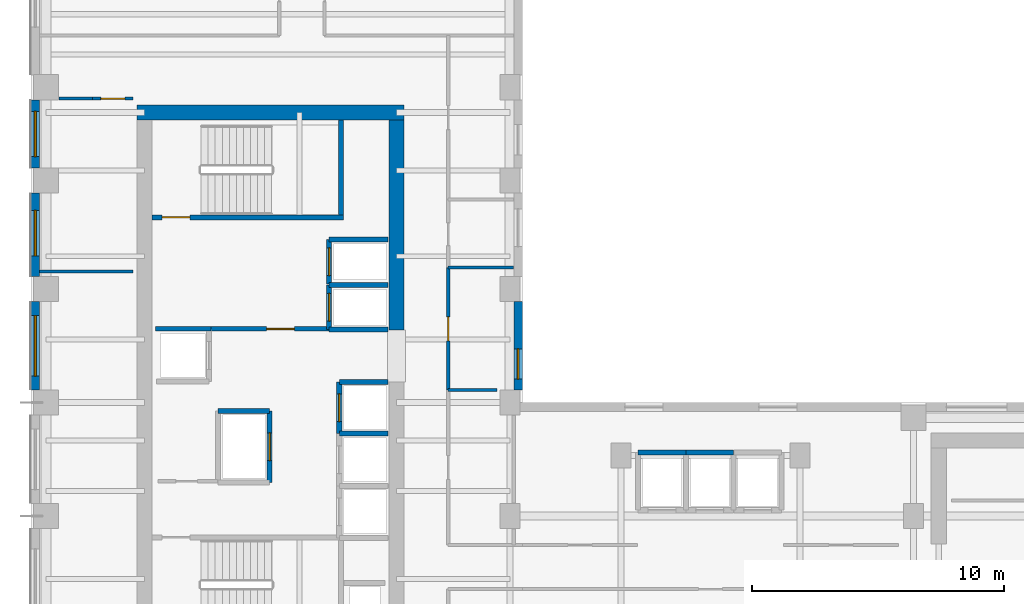
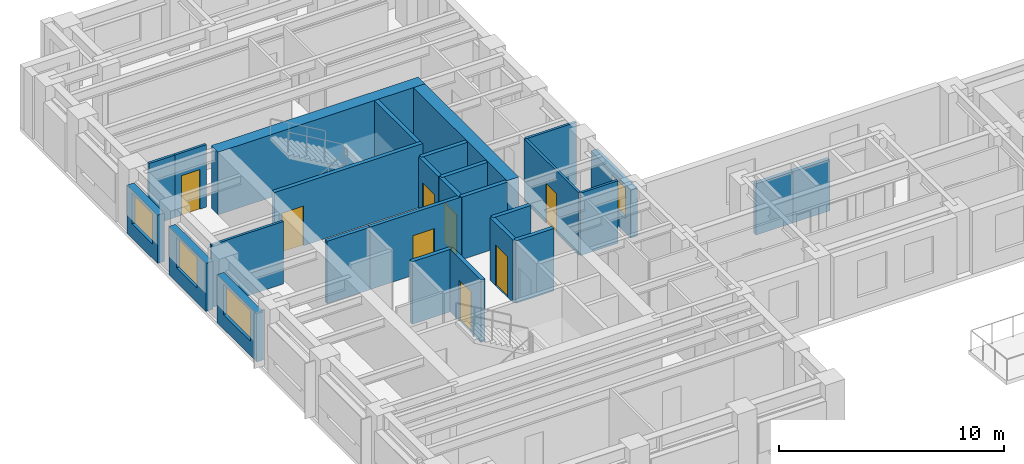
# One storey, part 5 of 12: 28 walls, 8 doors, 4 windows, 12 openings.
"""IFC4 building model written with IfcOpenShell, lengths in metres."""

from ifc_helpers import new_model, si_unit, direction, frame, frame_2d, origin, place, context, subcontext, project, spatial, rectangle, extrude, source, transform, mapped, material, layer, layer_set, type_object, element, fill, save


model = new_model("IFC4")

# Units and contexts
model_context = context("Model", 3, precision=1e-05, world=origin(), true_north=direction((0.0, 1.0)))
body_context = subcontext(model_context, "Body", "Model", "MODEL_VIEW")
ifc_project = project(units=[si_unit("LENGTHUNIT", "METRE"), si_unit("AREAUNIT", "SQUARE_METRE"), si_unit("VOLUMEUNIT", "CUBIC_METRE"), si_unit("PLANEANGLEUNIT", "RADIAN"), si_unit("MASSUNIT", "GRAM", prefix="KILO")], contexts=[model_context])

# Site, building, storey
site_placement = place(None, origin())
site = spatial("IfcSite", under=ifc_project, at=site_placement, CompositionType="ELEMENT")
building_placement = place(site_placement, origin())
building = spatial("IfcBuilding", under=site, at=building_placement, Name="Kharzan Plaza Tower", CompositionType="ELEMENT")
storey_placement = place(building_placement, frame((0.0, 0.0, 179.10009765625)))
storey = spatial("IfcBuildingStorey", under=building, at=storey_placement, Name="L48", CompositionType="ELEMENT", Elevation=179.10009765625)

# Wall, opening, window
ifc_material_1 = material(Name="Concrete C40/50", Category="concrete")
ifc_layer_1 = layer(ifc_material_1, 0.35009765625)
ifc_layer_set_1 = layer_set([ifc_layer_1], Name="Concrete C40/50")
wall_type_1 = type_object("IfcWallType", Name="WL-EXT-MAS-Z3", PredefinedType="SOLIDWALL", material=ifc_layer_set_1)
wall_1_placement = place(storey_placement, frame((0.175048828125, 30.001953125, 0.0), z_axis=(0.0, 0.0, 1.0), x_axis=(0.0, -1.0, 0.0)))
wall_1 = element("IfcWall", 1, at=wall_1_placement, inside=storey, type_object=wall_type_1, Name="L48 Masonry-Frame Exterior Wall 12", PredefinedType="SOLIDWALL", context=body_context, shape_type="SweptSolid", body=[
    extrude(rectangle(XDim=2.703857421875, YDim=0.35009765625, at=frame_2d((1.35205078125, 0.0))), origin(), (0.0, 0.0, 1.0), 2.61181640625),
])
opening_1_placement = place(wall_1_placement, frame((0.451904296875, 0.0, 0.780029296875)))
opening_1 = element("IfcOpeningElement", 2, at=opening_1_placement, cuts=wall_1, Name="Opening W1", PredefinedType="OPENING", context=body_context, shape_type="SweptSolid", body=[
    extrude(rectangle(XDim=1.800048828125, YDim=1.652099609375, at=frame_2d((0.89990234375, 0.826171875))), frame((0.0, 0.18505859375, 0.0), z_axis=(0.0, -1.0, 0.0), x_axis=(1.0, 0.0, 0.0)), (0.0, 0.0, 1.0), 0.3701171875),
])
ifc_material_2 = material(Name="Low-E Double Glazing", Category="glass")
window_type_1 = type_object("IfcWindowType", Name="WN-REC-1800x2100", PartitioningType="SINGLE_PANEL", PredefinedType="WINDOW", material=ifc_material_2)
shared_shape_1 = source(origin(), body_context, "Body", "SweptSolid", [
    extrude(rectangle(XDim=1.800048828125, YDim=1.652099609375, at=frame_2d((0.89990234375, 0.826171875))), frame((0.0, 0.030029296875, 0.0), z_axis=(0.0, -1.0, 0.0), x_axis=(1.0, 0.0, 0.0)), (0.0, 0.0, 1.0), 0.06005859375),
])
window_1_placement = place(opening_1_placement, origin())
window_1 = element("IfcWindow", 3, at=window_1_placement, inside=storey, type_object=window_type_1, Name="L48 Recessed Solar-Control Window 12-1", OverallHeight=1.652099609375, OverallWidth=1.800048828125, PartitioningType="SINGLE_PANEL", PredefinedType="WINDOW", context=body_context, shape_type="MappedRepresentation", body=[
    mapped(shared_shape_1, transform((0.0, 0.0, 0.0), x_axis=(1.0, 0.0, 0.0), y_axis=(0.0, 1.0, 0.0), z_axis=(0.0, 0.0, 1.0))),
])
fill(opening_1, window_1)

wall_2_placement = place(storey_placement, frame((0.175048828125, 26.302001953125, 0.0), z_axis=(0.0, 0.0, 1.0), x_axis=(0.0, -1.0, 0.0)))
wall_2 = element("IfcWall", 4, at=wall_2_placement, inside=storey, type_object=wall_type_1, Name="L48 Masonry-Frame Exterior Wall 13", PredefinedType="SOLIDWALL", context=body_context, shape_type="SweptSolid", body=[
    extrude(rectangle(XDim=3.303955078125, YDim=0.35009765625, at=frame_2d((1.65185546875, 0.0))), origin(), (0.0, 0.0, 1.0), 2.61181640625),
])
opening_2_placement = place(wall_2_placement, frame((0.68603515625, 0.0, 0.780029296875)))
opening_2 = element("IfcOpeningElement", 5, at=opening_2_placement, cuts=wall_2, Name="Opening W1", PredefinedType="OPENING", context=body_context, shape_type="SweptSolid", body=[
    extrude(rectangle(XDim=1.800048828125, YDim=1.652099609375, at=frame_2d((0.89990234375, 0.826171875))), frame((0.0, 0.18505859375, 0.0), z_axis=(0.0, -1.0, 0.0), x_axis=(1.0, 0.0, 0.0)), (0.0, 0.0, 1.0), 0.3701171875),
])
window_2_placement = place(opening_2_placement, origin())
window_2 = element("IfcWindow", 6, at=window_2_placement, inside=storey, type_object=window_type_1, Name="L48 Recessed Solar-Control Window 13-1", OverallHeight=1.652099609375, OverallWidth=1.800048828125, PartitioningType="SINGLE_PANEL", PredefinedType="WINDOW", context=body_context, shape_type="MappedRepresentation", body=[
    mapped(shared_shape_1, transform((0.0, 0.0, 0.0), x_axis=(1.0, 0.0, 0.0), y_axis=(0.0, 1.0, 0.0), z_axis=(0.0, 0.0, 1.0))),
])
fill(opening_2, window_2)

wall_3_placement = place(storey_placement, frame((0.175048828125, 22.001953125, 0.0), z_axis=(0.0, 0.0, 1.0), x_axis=(0.0, -1.0, 0.0)))
wall_3 = element("IfcWall", 7, at=wall_3_placement, inside=storey, type_object=wall_type_1, Name="L48 Masonry-Frame Exterior Wall 14", PredefinedType="SOLIDWALL", context=body_context, shape_type="SweptSolid", body=[
    extrude(rectangle(XDim=3.50390625, YDim=0.35009765625, at=frame_2d((1.751953125, 0.0))), origin(), (0.0, 0.0, 1.0), 2.61181640625),
])
opening_3_placement = place(wall_3_placement, frame((0.552001953125, 0.0, 0.780029296875)))
opening_3 = element("IfcOpeningElement", 8, at=opening_3_placement, cuts=wall_3, Name="Opening W2", PredefinedType="OPENING", context=body_context, shape_type="SweptSolid", body=[
    extrude(rectangle(XDim=2.39990234375, YDim=1.652099609375, at=frame_2d((1.199951171875, 0.826171875))), frame((0.0, 0.18505859375, 0.0), z_axis=(0.0, -1.0, 0.0), x_axis=(1.0, 0.0, 0.0)), (0.0, 0.0, 1.0), 0.3701171875),
])
window_type_2 = type_object("IfcWindowType", Name="WN-REC-2400x2100", PartitioningType="SINGLE_PANEL", PredefinedType="WINDOW", material=ifc_material_2)
shared_shape_2 = source(origin(), body_context, "Body", "SweptSolid", [
    extrude(rectangle(XDim=2.39990234375, YDim=1.652099609375, at=frame_2d((1.199951171875, 0.826171875))), frame((0.0, 0.030029296875, 0.0), z_axis=(0.0, -1.0, 0.0), x_axis=(1.0, 0.0, 0.0)), (0.0, 0.0, 1.0), 0.06005859375),
])
window_3_placement = place(opening_3_placement, origin())
window_3 = element("IfcWindow", 9, at=window_3_placement, inside=storey, type_object=window_type_2, Name="L48 Wide Recessed Solar-Control Window 14-1", OverallHeight=1.652099609375, OverallWidth=2.39990234375, PartitioningType="SINGLE_PANEL", PredefinedType="WINDOW", context=body_context, shape_type="MappedRepresentation", body=[
    mapped(shared_shape_2, transform((0.0, 0.0, 0.0), x_axis=(1.0, 0.0, 0.0), y_axis=(0.0, 1.0, 0.0), z_axis=(0.0, 0.0, 1.0))),
])
fill(opening_3, window_3)

wall_4_placement = place(storey_placement, frame((19.324951171875, 18.498046875, 0.0), z_axis=(0.0, 0.0, 1.0), x_axis=(0.0, 1.0, 0.0)))
wall_4 = element("IfcWall", 10, at=wall_4_placement, inside=storey, type_object=wall_type_1, Name="L48 Masonry-Frame Exterior Wall 47", PredefinedType="SOLIDWALL", context=body_context, shape_type="SweptSolid", body=[
    extrude(rectangle(XDim=3.50390625, YDim=0.35009765625, at=frame_2d((1.751953125, 0.0))), origin(), (0.0, 0.0, 1.0), 2.61181640625),
])
opening_4_placement = place(wall_4_placement, frame((0.4326171875, 0.0, 0.780029296875)))
opening_4 = element("IfcOpeningElement", 11, at=opening_4_placement, cuts=wall_4, Name="Opening W3", PredefinedType="OPENING", context=body_context, shape_type="SweptSolid", body=[
    extrude(rectangle(XDim=1.199951171875, YDim=1.652099609375, at=frame_2d((0.60009765625, 0.826171875))), frame((0.0, 0.18505859375, 0.0), z_axis=(0.0, -1.0, 0.0), x_axis=(1.0, 0.0, 0.0)), (0.0, 0.0, 1.0), 0.3701171875),
])
window_type_3 = type_object("IfcWindowType", Name="WN-REC-1200x2100", PartitioningType="SINGLE_PANEL", PredefinedType="WINDOW", material=ifc_material_2)
shared_shape_3 = source(origin(), body_context, "Body", "SweptSolid", [
    extrude(rectangle(XDim=1.199951171875, YDim=1.652099609375, at=frame_2d((0.60009765625, 0.826171875))), frame((0.0, 0.030029296875, 0.0), z_axis=(0.0, -1.0, 0.0), x_axis=(1.0, 0.0, 0.0)), (0.0, 0.0, 1.0), 0.06005859375),
])
window_4_placement = place(opening_4_placement, origin())
window_4 = element("IfcWindow", 12, at=window_4_placement, inside=storey, type_object=window_type_3, Name="L48 Recessed Solar-Control Window 47-1", OverallHeight=1.652099609375, OverallWidth=1.199951171875, PartitioningType="SINGLE_PANEL", PredefinedType="WINDOW", context=body_context, shape_type="MappedRepresentation", body=[
    mapped(shared_shape_3, transform((0.0, 0.0, 0.0), x_axis=(1.0, 0.0, 0.0), y_axis=(0.0, 1.0, 0.0), z_axis=(0.0, 0.0, 1.0))),
])
fill(opening_4, window_4)

# Wall, opening, door
ifc_layer_2 = layer(ifc_material_1, 0.179931640625)
ifc_layer_set_2 = layer_set([ifc_layer_2], Name="Concrete C40/50")
wall_type_2 = type_object("IfcWallType", Name="WL-INT-FIRE-180", PredefinedType="PARTITIONING", material=ifc_layer_set_2)
wall_5_placement = place(storey_placement, frame((7.14990234375, 20.919921875, 0.0), z_axis=(0.0, 0.0, 1.0), x_axis=(1.0, 0.0, 0.0)))
wall_5 = element("IfcWall", 13, at=wall_5_placement, inside=storey, type_object=wall_type_2, Name="L48 Interior Partition CA-FF-S", PredefinedType="PARTITIONING", context=body_context, shape_type="SweptSolid", body=[
    extrude(rectangle(XDim=4.68017578125, YDim=0.179931640625, at=frame_2d((2.340087890625, 0.0))), origin(), (0.0, 0.0, 1.0), 3.385009765625),
])
opening_5_placement = place(wall_5_placement, frame((2.199951171875, 0.0, 0.0)))
opening_5 = element("IfcOpeningElement", 14, at=opening_5_placement, cuts=wall_5, Name="Opening FD1", PredefinedType="OPENING", context=body_context, shape_type="SweptSolid", body=[
    extrude(rectangle(XDim=1.10009765625, YDim=2.14990234375, at=frame_2d((0.550048828125, 1.074951171875))), frame((0.0, 0.099853515625, 0.0), z_axis=(0.0, -1.0, 0.0), x_axis=(1.0, 0.0, 0.0)), (0.0, 0.0, 1.0), 0.199951171875),
])
ifc_material_3 = material(Name="Fire-Rated Acoustic Vision-Panel Steel", Category="steel")
door_type_1 = type_object("IfcDoorType", Name="DR-FIRE-LOBBY", OperationType="NOTDEFINED", PredefinedType="DOOR", material=ifc_material_3)
shared_shape_4 = source(origin(), body_context, "Body", "SweptSolid", [
    extrude(rectangle(XDim=1.10009765625, YDim=2.14990234375, at=frame_2d((0.550048828125, 1.074951171875))), frame((0.0, 0.02490234375, 0.0), z_axis=(0.0, -1.0, 0.0), x_axis=(1.0, 0.0, 0.0)), (0.0, 0.0, 1.0), 0.050048828125),
])
door_1_placement = place(opening_5_placement, origin())
door_1 = element("IfcDoor", 15, at=door_1_placement, inside=storey, type_object=door_type_1, Name="L48 Firefighting Lobby Door", OperationType="SINGLE_SWING_RIGHT", OverallHeight=2.14990234375, OverallWidth=1.10009765625, PredefinedType="DOOR", context=body_context, shape_type="MappedRepresentation", body=[
    mapped(shared_shape_4, transform((0.0, 0.0, 0.0), x_axis=(1.0, 0.0, 0.0), y_axis=(0.0, 1.0, 0.0), z_axis=(0.0, 0.0, 1.0))),
])
fill(opening_5, door_1)

ifc_material_4 = material(Name="Fire-Rated Gypsum Board Partition", Category="gypsum")
ifc_layer_3 = layer(ifc_material_4, 0.125)
ifc_layer_set_3 = layer_set([ifc_layer_3], Name="Fire-Rated Gypsum Board Partition")
wall_type_3 = type_object("IfcWallType", Name="WL-INT-PART-125", PredefinedType="PARTITIONING", material=ifc_layer_set_3)
wall_6_placement = place(storey_placement, frame((16.550048828125, 18.5, 0.0), z_axis=(0.0, 0.0, 1.0), x_axis=(0.0, 1.0, 0.0)))
wall_6 = element("IfcWall", 16, at=wall_6_placement, inside=storey, type_object=wall_type_3, Name="L48 Interior Partition SH-AEWN2", PredefinedType="PARTITIONING", context=body_context, shape_type="SweptSolid", body=[
    extrude(rectangle(XDim=4.85009765625, YDim=0.125, at=frame_2d((2.425048828125, 0.0))), origin(), (0.0, 0.0, 1.0), 3.385009765625),
])
opening_6_placement = place(wall_6_placement, frame((1.949951171875, 0.0, 0.0)))
opening_6 = element("IfcOpeningElement", 17, at=opening_6_placement, cuts=wall_6, Name="Opening OD1", PredefinedType="OPENING", context=body_context, shape_type="SweptSolid", body=[
    extrude(rectangle(XDim=0.949951171875, YDim=2.14990234375, at=frame_2d((0.47509765625, 1.074951171875))), frame((0.0, 0.072509765625, 0.0), z_axis=(0.0, -1.0, 0.0), x_axis=(1.0, 0.0, 0.0)), (0.0, 0.0, 1.0), 0.14501953125),
])
ifc_material_5 = material(Name="Acoustic Solid-Core Stained Oak", Category="timber")
door_type_2 = type_object("IfcDoorType", Name="DR-OFF-SINGLE", OperationType="NOTDEFINED", PredefinedType="DOOR", material=ifc_material_5)
shared_shape_5 = source(origin(), body_context, "Body", "SweptSolid", [
    extrude(rectangle(XDim=0.949951171875, YDim=2.14990234375, at=frame_2d((0.47509765625, 1.074951171875))), frame((0.0, 0.02490234375, 0.0), z_axis=(0.0, -1.0, 0.0), x_axis=(1.0, 0.0, 0.0)), (0.0, 0.0, 1.0), 0.050048828125),
])
door_2_placement = place(opening_6_placement, origin())
door_2 = element("IfcDoor", 18, at=door_2_placement, inside=storey, type_object=door_type_2, Name="L48 Slot Studio Door", OperationType="SINGLE_SWING_LEFT", OverallHeight=2.14990234375, OverallWidth=0.949951171875, PredefinedType="DOOR", context=body_context, shape_type="MappedRepresentation", body=[
    mapped(shared_shape_5, transform((0.0, 0.0, 0.0), x_axis=(1.0, 0.0, 0.0), y_axis=(0.0, 1.0, 0.0), z_axis=(0.0, 0.0, 1.0))),
])
fill(opening_6, door_2)

wall_7_placement = place(storey_placement, frame((2.449951171875, 30.050048828125, 0.0), z_axis=(0.0, 0.0, 1.0), x_axis=(1.0, 0.0, 0.0)))
wall_7 = element("IfcWall", 19, at=wall_7_placement, inside=storey, type_object=wall_type_3, Name="L48 Interior Partition SH-RWND", PredefinedType="PARTITIONING", context=body_context, shape_type="SweptSolid", body=[
    extrude(rectangle(XDim=1.60009765625, YDim=0.125, at=frame_2d((0.800048828125, 0.0))), origin(), (0.0, 0.0, 1.0), 3.385009765625),
])
opening_7_placement = place(wall_7_placement, frame((0.324951171875, 0.0, 0.0)))
opening_7 = element("IfcOpeningElement", 20, at=opening_7_placement, cuts=wall_7, Name="Opening OD1", PredefinedType="OPENING", context=body_context, shape_type="SweptSolid", body=[
    extrude(rectangle(XDim=0.949951171875, YDim=2.14990234375, at=frame_2d((0.47509765625, 1.074951171875))), frame((0.0, 0.072509765625, 0.0), z_axis=(0.0, -1.0, 0.0), x_axis=(1.0, 0.0, 0.0)), (0.0, 0.0, 1.0), 0.14501953125),
])
door_3_placement = place(opening_7_placement, origin())
door_3 = element("IfcDoor", 21, at=door_3_placement, inside=storey, type_object=door_type_2, Name="L48 West Office 2 Door", OperationType="SINGLE_SWING_LEFT", OverallHeight=2.14990234375, OverallWidth=0.949951171875, PredefinedType="DOOR", context=body_context, shape_type="MappedRepresentation", body=[
    mapped(shared_shape_5, transform((0.0, 0.0, 0.0), x_axis=(1.0, 0.0, 0.0), y_axis=(0.0, 1.0, 0.0), z_axis=(0.0, 0.0, 1.0))),
])
fill(opening_7, door_3)

ifc_layer_4 = layer(ifc_material_1, 0.199951171875)
ifc_layer_set_4 = layer_set([ifc_layer_4], Name="Concrete C40/50")
wall_type_4 = type_object("IfcWallType", Name="WL-INT-SHAFT-200", PredefinedType="PARTITIONING", material=ifc_layer_set_4)
wall_8_placement = place(storey_placement, frame((11.830078125, 20.89990234375, 0.0), z_axis=(0.0, 0.0, 1.0), x_axis=(0.0, 1.0, 0.0)))
wall_8 = element("IfcWall", 22, at=wall_8_placement, inside=storey, type_object=wall_type_4, Name="L48 Interior Partition SHF-FFL-1-W", PredefinedType="PARTITIONING", context=body_context, shape_type="SweptSolid", body=[
    extrude(rectangle(XDim=1.760009765625, YDim=0.199951171875, at=frame_2d((0.8798828125, 0.0))), origin(), (0.0, 0.0, 1.0), 3.385009765625),
])
opening_8_placement = place(wall_8_placement, frame((0.330078125, 0.0, 0.0)))
opening_8 = element("IfcOpeningElement", 23, at=opening_8_placement, cuts=wall_8, Name="Opening LD", PredefinedType="OPENING", context=body_context, shape_type="SweptSolid", body=[
    extrude(rectangle(XDim=1.10009765625, YDim=2.199951171875, at=frame_2d((0.550048828125, 1.10009765625))), frame((0.0, 0.10986328125, 0.0), z_axis=(0.0, -1.0, 0.0), x_axis=(1.0, 0.0, 0.0)), (0.0, 0.0, 1.0), 0.219970703125),
])
ifc_material_6 = material(Name="Brushed Stainless Steel", Category="steel")
door_type_3 = type_object("IfcDoorType", Name="DR-LIFT-SLIDE", OperationType="SLIDING_TO_LEFT", PredefinedType="DOOR", material=ifc_material_6)
shared_shape_6 = source(origin(), body_context, "Body", "SweptSolid", [
    extrude(rectangle(XDim=1.10009765625, YDim=2.199951171875, at=frame_2d((0.550048828125, 1.10009765625))), frame((0.0, 0.02490234375, 0.0), z_axis=(0.0, -1.0, 0.0), x_axis=(1.0, 0.0, 0.0)), (0.0, 0.0, 1.0), 0.050048828125),
])
door_4_placement = place(opening_8_placement, origin())
door_4 = element("IfcDoor", 24, at=door_4_placement, inside=storey, type_object=door_type_3, Name="L48 Firefighting Lift FFL-1 Sliding Landing Door", OperationType="SLIDING_TO_LEFT", OverallHeight=2.199951171875, OverallWidth=1.10009765625, PredefinedType="DOOR", context=body_context, shape_type="MappedRepresentation", body=[
    mapped(shared_shape_6, transform((0.0, 0.0, 0.0), x_axis=(1.0, 0.0, 0.0), y_axis=(0.0, 1.0, 0.0), z_axis=(0.0, 0.0, 1.0))),
])
fill(opening_8, door_4)

wall_9_placement = place(storey_placement, frame((11.830078125, 22.699951171875, 0.0), z_axis=(0.0, 0.0, 1.0), x_axis=(0.0, 1.0, 0.0)))
wall_9 = element("IfcWall", 25, at=wall_9_placement, inside=storey, type_object=wall_type_4, Name="L48 Interior Partition SHF-FFL-2-W", PredefinedType="PARTITIONING", context=body_context, shape_type="SweptSolid", body=[
    extrude(rectangle(XDim=1.760009765625, YDim=0.199951171875, at=frame_2d((0.8798828125, 0.0))), origin(), (0.0, 0.0, 1.0), 3.385009765625),
])
opening_9_placement = place(wall_9_placement, frame((0.330078125, 0.0, 0.0)))
opening_9 = element("IfcOpeningElement", 26, at=opening_9_placement, cuts=wall_9, Name="Opening LD", PredefinedType="OPENING", context=body_context, shape_type="SweptSolid", body=[
    extrude(rectangle(XDim=1.10009765625, YDim=2.199951171875, at=frame_2d((0.550048828125, 1.10009765625))), frame((0.0, 0.10986328125, 0.0), z_axis=(0.0, -1.0, 0.0), x_axis=(1.0, 0.0, 0.0)), (0.0, 0.0, 1.0), 0.219970703125),
])
door_5_placement = place(opening_9_placement, origin())
door_5 = element("IfcDoor", 27, at=door_5_placement, inside=storey, type_object=door_type_3, Name="L48 Firefighting Lift FFL-2 Sliding Landing Door", OperationType="SLIDING_TO_LEFT", OverallHeight=2.199951171875, OverallWidth=1.10009765625, PredefinedType="DOOR", context=body_context, shape_type="MappedRepresentation", body=[
    mapped(shared_shape_6, transform((0.0, 0.0, 0.0), x_axis=(1.0, 0.0, 0.0), y_axis=(0.0, 1.0, 0.0), z_axis=(0.0, 0.0, 1.0))),
])
fill(opening_9, door_5)

wall_10_placement = place(storey_placement, frame((12.22998046875, 16.77001953125, 0.0), z_axis=(0.0, 0.0, 1.0), x_axis=(0.0, 1.0, 0.0)))
wall_10 = element("IfcWall", 28, at=wall_10_placement, inside=storey, type_object=wall_type_4, Name="L48 Interior Partition SHF-PL-H3-W", PredefinedType="PARTITIONING", context=body_context, shape_type="SweptSolid", body=[
    extrude(rectangle(XDim=2.050048828125, YDim=0.199951171875, at=frame_2d((1.02490234375, 0.0))), origin(), (0.0, 0.0, 1.0), 3.385009765625),
])
opening_10_placement = place(wall_10_placement, frame((0.47509765625, 0.0, 0.0)))
opening_10 = element("IfcOpeningElement", 29, at=opening_10_placement, cuts=wall_10, Name="Opening LD", PredefinedType="OPENING", context=body_context, shape_type="SweptSolid", body=[
    extrude(rectangle(XDim=1.10009765625, YDim=2.199951171875, at=frame_2d((0.550048828125, 1.10009765625))), frame((0.0, 0.10986328125, 0.0), z_axis=(0.0, -1.0, 0.0), x_axis=(1.0, 0.0, 0.0)), (0.0, 0.0, 1.0), 0.219970703125),
])
door_6_placement = place(opening_10_placement, origin())
door_6 = element("IfcDoor", 30, at=door_6_placement, inside=storey, type_object=door_type_3, Name="L48 High-Rise Passenger Lift PL-H3 Sliding Landing Door", OperationType="SLIDING_TO_LEFT", OverallHeight=2.199951171875, OverallWidth=1.10009765625, PredefinedType="DOOR", context=body_context, shape_type="MappedRepresentation", body=[
    mapped(shared_shape_6, transform((0.0, 0.0, 0.0), x_axis=(1.0, 0.0, 0.0), y_axis=(0.0, 1.0, 0.0), z_axis=(0.0, 0.0, 1.0))),
])
fill(opening_10, door_6)

wall_11_placement = place(storey_placement, frame((9.469970703125, 14.830078125, 0.0), z_axis=(0.0, 0.0, 1.0), x_axis=(0.0, 1.0, 0.0)))
wall_11 = element("IfcWall", 31, at=wall_11_placement, inside=storey, type_object=wall_type_4, Name="L48 Interior Partition SHF-SVL-1-E", PredefinedType="PARTITIONING", context=body_context, shape_type="SweptSolid", body=[
    extrude(rectangle(XDim=2.83984375, YDim=0.199951171875, at=frame_2d((1.419921875, 0.0))), origin(), (0.0, 0.0, 1.0), 3.385009765625),
])
opening_11_placement = place(wall_11_placement, frame((0.8701171875, 0.0, 0.0)))
opening_11 = element("IfcOpeningElement", 32, at=opening_11_placement, cuts=wall_11, Name="Opening LD", PredefinedType="OPENING", context=body_context, shape_type="SweptSolid", body=[
    extrude(rectangle(XDim=1.10009765625, YDim=2.199951171875, at=frame_2d((0.550048828125, 1.10009765625))), frame((0.0, 0.10986328125, 0.0), z_axis=(0.0, -1.0, 0.0), x_axis=(1.0, 0.0, 0.0)), (0.0, 0.0, 1.0), 0.219970703125),
])
door_7_placement = place(opening_11_placement, origin())
door_7 = element("IfcDoor", 33, at=door_7_placement, inside=storey, type_object=door_type_3, Name="L48 Service Lift SVL-1 Sliding Landing Door", OperationType="SLIDING_TO_LEFT", OverallHeight=2.199951171875, OverallWidth=1.10009765625, PredefinedType="DOOR", context=body_context, shape_type="MappedRepresentation", body=[
    mapped(shared_shape_6, transform((0.0, 0.0, 0.0), x_axis=(1.0, 0.0, 0.0), y_axis=(0.0, 1.0, 0.0), z_axis=(0.0, 0.0, 1.0))),
])
fill(opening_11, door_7)

ifc_material_7 = material(Name="Concrete C50/60", Category="concrete")
ifc_layer_5 = layer(ifc_material_7, 0.199951171875)
ifc_layer_set_5 = layer_set([ifc_layer_5], Name="Concrete C50/60")
wall_type_5 = type_object("IfcWallType", Name="WL-SHAFT-RC200", PredefinedType="SHEAR", material=ifc_layer_set_5)
wall_12_placement = place(storey_placement, frame((4.802001953125, 25.344970703125, 0.0), z_axis=(0.0, 0.0, 1.0), x_axis=(1.0, 0.0, 0.0)))
wall_12 = element("IfcWall", 34, at=wall_12_placement, inside=storey, type_object=wall_type_5, Name="L48 Stair ST-2 South RC Shaft Wall", PredefinedType="SHEAR", context=body_context, shape_type="SweptSolid", body=[
    extrude(rectangle(XDim=7.60302734375, YDim=0.199951171875, at=frame_2d((3.801513671875, 0.0))), origin(), (0.0, 0.0, 1.0), 3.39990234375),
])
opening_12_placement = place(wall_12_placement, frame((0.39990234375, 0.0, 0.0)))
opening_12 = element("IfcOpeningElement", 35, at=opening_12_placement, cuts=wall_12, Name="Opening SD1", PredefinedType="OPENING", context=body_context, shape_type="SweptSolid", body=[
    extrude(rectangle(XDim=1.10009765625, YDim=2.14990234375, at=frame_2d((0.550048828125, 1.074951171875))), frame((0.0, 0.10986328125, 0.0), z_axis=(0.0, -1.0, 0.0), x_axis=(1.0, 0.0, 0.0)), (0.0, 0.0, 1.0), 0.219970703125),
])
ifc_material_8 = material(Name="Fire-Rated Hollow Galvanized Steel", Category="steel")
door_type_4 = type_object("IfcDoorType", Name="DR-STAIR-FD120", OperationType="NOTDEFINED", PredefinedType="DOOR", material=ifc_material_8)
shared_shape_7 = source(origin(), body_context, "Body", "SweptSolid", [
    extrude(rectangle(XDim=1.10009765625, YDim=2.14990234375, at=frame_2d((0.550048828125, 1.074951171875))), frame((0.0, 0.02490234375, 0.0), z_axis=(0.0, -1.0, 0.0), x_axis=(1.0, 0.0, 0.0)), (0.0, 0.0, 1.0), 0.050048828125),
])
door_8_placement = place(opening_12_placement, origin())
door_8 = element("IfcDoor", 36, at=door_8_placement, inside=storey, type_object=door_type_4, Name="L48 Stair ST-2 Fire Exit Door", OperationType="SINGLE_SWING_LEFT", OverallHeight=2.14990234375, OverallWidth=1.10009765625, PredefinedType="DOOR", context=body_context, shape_type="MappedRepresentation", body=[
    mapped(shared_shape_7, transform((0.0, 0.0, 0.0), x_axis=(1.0, 0.0, 0.0), y_axis=(0.0, 1.0, 0.0), z_axis=(0.0, 0.0, 1.0))),
])
fill(opening_12, door_8)

# Walls
ifc_layer_6 = layer(ifc_material_7, 0.60009765625)
ifc_layer_set_6 = layer_set([ifc_layer_6], Name="Concrete C50/60")
wall_type_6 = type_object("IfcWallType", Name="WL-CORE-600", PredefinedType="SHEAR", material=ifc_layer_set_6)
shared_shape_8 = source(origin(), body_context, "Body", "SweptSolid", [
    extrude(rectangle(XDim=8.320068359375, YDim=0.60009765625, at=frame_2d((4.16015625, 0.0))), origin(), (0.0, 0.0, 1.0), 3.39990234375),
])
wall_13_placement = place(storey_placement, frame((14.5, 20.8798828125, 0.0), z_axis=(0.0, 0.0, 1.0), x_axis=(0.0, 1.0, 0.0)))
element("IfcWall", 37, at=wall_13_placement, inside=storey, type_object=wall_type_6, Name="L48 CORE-A east shear pier 2", PredefinedType="SHEAR", context=body_context, shape_type="MappedRepresentation", body=[
    mapped(shared_shape_8, transform((0.0, 0.0, 0.0), x_axis=(1.0, 0.0, 0.0), y_axis=(0.0, 1.0, 0.0), z_axis=(0.0, 0.0, 1.0))),
])
shared_shape_9 = source(origin(), body_context, "Body", "SweptSolid", [
    extrude(rectangle(XDim=10.60009765625, YDim=0.60009765625, at=frame_2d((5.300048828125, 0.0))), origin(), (0.0, 0.0, 1.0), 3.39990234375),
])
wall_14_placement = place(storey_placement, frame((4.199951171875, 29.5, 0.0), z_axis=(0.0, 0.0, 1.0), x_axis=(1.0, 0.0, 0.0)))
element("IfcWall", 38, at=wall_14_placement, inside=storey, type_object=wall_type_6, Name="L48 CORE-A north RC shear wall", PredefinedType="SHEAR", context=body_context, shape_type="MappedRepresentation", body=[
    mapped(shared_shape_9, transform((0.0, 0.0, 0.0), x_axis=(1.0, 0.0, 0.0), y_axis=(0.0, 1.0, 0.0), z_axis=(0.0, 0.0, 1.0))),
])
shared_shape_10 = source(origin(), body_context, "Body", "SweptSolid", [
    extrude(rectangle(XDim=2.199951171875, YDim=0.179931640625, at=frame_2d((1.10009765625, 0.0))), origin(), (0.0, 0.0, 1.0), 3.385009765625),
])
wall_15_placement = place(storey_placement, frame((4.949951171875, 20.919921875, 0.0), z_axis=(0.0, 0.0, 1.0), x_axis=(1.0, 0.0, 0.0)))
element("IfcWall", 39, at=wall_15_placement, inside=storey, type_object=wall_type_2, Name="L48 Interior Partition CA-FF-SW", PredefinedType="PARTITIONING", context=body_context, shape_type="MappedRepresentation", body=[
    mapped(shared_shape_10, transform((0.0, 0.0, 0.0), x_axis=(1.0, 0.0, 0.0), y_axis=(0.0, 1.0, 0.0), z_axis=(0.0, 0.0, 1.0))),
])
shared_shape_11 = source(origin(), body_context, "Body", "SweptSolid", [
    extrude(rectangle(XDim=1.929931640625, YDim=0.125, at=frame_2d((0.96484375, 0.0))), origin(), (0.0, 0.0, 1.0), 3.385009765625),
])
wall_16_placement = place(storey_placement, frame((16.550048828125, 18.5, 0.0), z_axis=(0.0, 0.0, 1.0), x_axis=(1.0, 0.0, 0.0)))
element("IfcWall", 40, at=wall_16_placement, inside=storey, type_object=wall_type_3, Name="L48 Interior Partition SH-AEH-185", PredefinedType="PARTITIONING", context=body_context, shape_type="MappedRepresentation", body=[
    mapped(shared_shape_11, transform((0.0, 0.0, 0.0), x_axis=(1.0, 0.0, 0.0), y_axis=(0.0, 1.0, 0.0), z_axis=(0.0, 0.0, 1.0))),
])
shared_shape_12 = source(origin(), body_context, "Body", "SweptSolid", [
    extrude(rectangle(XDim=2.33984375, YDim=0.199951171875, at=frame_2d((1.169921875, 0.0))), origin(), (0.0, 0.0, 1.0), 3.385009765625),
])
for number, where, z_axis, x_axis, name in (
    (41, (11.830078125, 22.659912109375, 0.0), (0.0, 0.0, 1.0), (1.0, 0.0, 0.0), "L48 Interior Partition SHF-FFL-1-N"),
    (42, (11.830078125, 20.89990234375, 0.0), (0.0, 0.0, 1.0), (1.0, 0.0, 0.0), "L48 Interior Partition SHF-FFL-1-S"),
    (43, (11.830078125, 24.4599609375, 0.0), (0.0, 0.0, 1.0), (1.0, 0.0, 0.0), "L48 Interior Partition SHF-FFL-2-N"),
):
    element("IfcWall", number, at=place(storey_placement, frame(where, z_axis=z_axis, x_axis=x_axis)), inside=storey, type_object=wall_type_4, Name=name, PredefinedType="PARTITIONING", context=body_context, shape_type="MappedRepresentation", body=[
        mapped(shared_shape_12, transform((0.0, 0.0, 0.0), x_axis=(1.0, 0.0, 0.0), y_axis=(0.0, 1.0, 0.0), z_axis=(0.0, 0.0, 1.0))),
    ])
shared_shape_13 = source(origin(), body_context, "Body", "SweptSolid", [
    extrude(rectangle(XDim=1.93994140625, YDim=0.199951171875, at=frame_2d((0.969970703125, 0.0))), origin(), (0.0, 0.0, 1.0), 3.385009765625),
])
for number, where, z_axis, x_axis, name in (
    (44, (12.22998046875, 16.77001953125, 0.0), (0.0, 0.0, 1.0), (1.0, 0.0, 0.0), "L48 Interior Partition SHF-PL-H2-N"),
    (45, (12.22998046875, 18.820068359375, 0.0), (0.0, 0.0, 1.0), (1.0, 0.0, 0.0), "L48 Interior Partition SHF-PL-H3-N"),
):
    element("IfcWall", number, at=place(storey_placement, frame(where, z_axis=z_axis, x_axis=x_axis)), inside=storey, type_object=wall_type_4, Name=name, PredefinedType="PARTITIONING", context=body_context, shape_type="MappedRepresentation", body=[
        mapped(shared_shape_13, transform((0.0, 0.0, 0.0), x_axis=(1.0, 0.0, 0.0), y_axis=(0.0, 1.0, 0.0), z_axis=(0.0, 0.0, 1.0))),
    ])
shared_shape_14 = source(origin(), body_context, "Body", "SweptSolid", [
    extrude(rectangle(XDim=1.889892578125, YDim=0.199951171875, at=frame_2d((0.94482421875, 0.0))), origin(), (0.0, 0.0, 1.0), 2.77294921875),
])
wall_17_placement = place(storey_placement, frame((24.080078125, 16.02001953125, 0.0), z_axis=(0.0, 0.0, 1.0), x_axis=(1.0, 0.0, 0.0)))
element("IfcWall", 46, at=wall_17_placement, inside=storey, type_object=wall_type_4, Name="L48 Interior Partition SHF-PL-M1-N", PredefinedType="PARTITIONING", context=body_context, shape_type="MappedRepresentation", body=[
    mapped(shared_shape_14, transform((0.0, 0.0, 0.0), x_axis=(1.0, 0.0, 0.0), y_axis=(0.0, 1.0, 0.0), z_axis=(0.0, 0.0, 1.0))),
])
shared_shape_15 = source(origin(), body_context, "Body", "SweptSolid", [
    extrude(rectangle(XDim=1.89013671875, YDim=0.199951171875, at=frame_2d((0.945068359375, 0.0))), origin(), (0.0, 0.0, 1.0), 2.77294921875),
])
wall_18_placement = place(storey_placement, frame((25.97998046875, 16.02001953125, 0.0), z_axis=(0.0, 0.0, 1.0), x_axis=(1.0, 0.0, 0.0)))
element("IfcWall", 47, at=wall_18_placement, inside=storey, type_object=wall_type_4, Name="L48 Interior Partition SHF-PL-M2-N", PredefinedType="PARTITIONING", context=body_context, shape_type="MappedRepresentation", body=[
    mapped(shared_shape_15, transform((0.0, 0.0, 0.0), x_axis=(1.0, 0.0, 0.0), y_axis=(0.0, 1.0, 0.0), z_axis=(0.0, 0.0, 1.0))),
])
shared_shape_16 = source(origin(), body_context, "Body", "SweptSolid", [
    extrude(rectangle(XDim=2.0400390625, YDim=0.199951171875, at=frame_2d((1.02001953125, 0.0))), origin(), (0.0, 0.0, 1.0), 3.385009765625),
])
wall_19_placement = place(storey_placement, frame((7.429931640625, 17.669921875, 0.0), z_axis=(0.0, 0.0, 1.0), x_axis=(1.0, 0.0, 0.0)))
element("IfcWall", 48, at=wall_19_placement, inside=storey, type_object=wall_type_4, Name="L48 Interior Partition SHF-SVL-1-N", PredefinedType="PARTITIONING", context=body_context, shape_type="MappedRepresentation", body=[
    mapped(shared_shape_16, transform((0.0, 0.0, 0.0), x_axis=(1.0, 0.0, 0.0), y_axis=(0.0, 1.0, 0.0), z_axis=(0.0, 0.0, 1.0))),
])
shared_shape_17 = source(origin(), body_context, "Body", "SweptSolid", [
    extrude(rectangle(XDim=3.7529296875, YDim=0.199951171875, at=frame_2d((1.87646484375, 0.0))), origin(), (0.0, 0.0, 1.0), 3.39990234375),
])
wall_20_placement = place(storey_placement, frame((12.304931640625, 25.445068359375, 0.0), z_axis=(0.0, 0.0, 1.0), x_axis=(0.0, 1.0, 0.0)))
element("IfcWall", 49, at=wall_20_placement, inside=storey, type_object=wall_type_5, Name="L48 Stair ST-2 East RC Shaft Wall", PredefinedType="SHEAR", context=body_context, shape_type="MappedRepresentation", body=[
    mapped(shared_shape_17, transform((0.0, 0.0, 0.0), x_axis=(1.0, 0.0, 0.0), y_axis=(0.0, 1.0, 0.0), z_axis=(0.0, 0.0, 1.0))),
])
shared_shape_18 = source(origin(), body_context, "Body", "SweptSolid", [
    extrude(rectangle(XDim=2.597900390625, YDim=0.125, at=frame_2d((1.298828125, 0.0))), origin(), (0.0, 0.0, 1.0), 3.385009765625),
])
wall_21_placement = place(storey_placement, frame((16.550048828125, 23.35009765625, 0.0), z_axis=(0.0, 0.0, 1.0), x_axis=(1.0, 0.0, 0.0)))
element("IfcWall", 50, at=wall_21_placement, inside=storey, type_object=wall_type_3, Name="L48 Interior Partition SH-AEH-233", PredefinedType="PARTITIONING", context=body_context, shape_type="MappedRepresentation", body=[
    mapped(shared_shape_18, transform((0.0, 0.0, 0.0), x_axis=(1.0, 0.0, 0.0), y_axis=(0.0, 1.0, 0.0), z_axis=(0.0, 0.0, 1.0))),
])
shared_shape_19 = source(origin(), body_context, "Body", "SweptSolid", [
    extrude(rectangle(XDim=1.329833984375, YDim=0.125, at=frame_2d((0.6650390625, 0.0))), origin(), (0.0, 0.0, 1.0), 3.385009765625),
])
wall_22_placement = place(storey_placement, frame((1.1201171875, 30.050048828125, 0.0), z_axis=(0.0, 0.0, 1.0), x_axis=(1.0, 0.0, 0.0)))
element("IfcWall", 51, at=wall_22_placement, inside=storey, type_object=wall_type_3, Name="L48 Interior Partition SH-RWN0", PredefinedType="PARTITIONING", context=body_context, shape_type="MappedRepresentation", body=[
    mapped(shared_shape_19, transform((0.0, 0.0, 0.0), x_axis=(1.0, 0.0, 0.0), y_axis=(0.0, 1.0, 0.0), z_axis=(0.0, 0.0, 1.0))),
])
shared_shape_20 = source(origin(), body_context, "Body", "SweptSolid", [
    extrude(rectangle(XDim=3.697998046875, YDim=0.125, at=frame_2d((1.84912109375, 0.0))), origin(), (0.0, 0.0, 1.0), 3.385009765625),
])
wall_23_placement = place(storey_placement, frame((0.35205078125, 23.199951171875, 0.0), z_axis=(0.0, 0.0, 1.0), x_axis=(1.0, 0.0, 0.0)))
element("IfcWall", 52, at=wall_23_placement, inside=storey, type_object=wall_type_3, Name="L48 Interior Partition SH-WMID", PredefinedType="PARTITIONING", context=body_context, shape_type="MappedRepresentation", body=[
    mapped(shared_shape_20, transform((0.0, 0.0, 0.0), x_axis=(1.0, 0.0, 0.0), y_axis=(0.0, 1.0, 0.0), z_axis=(0.0, 0.0, 1.0))),
])

save(model, "model.ifc")
